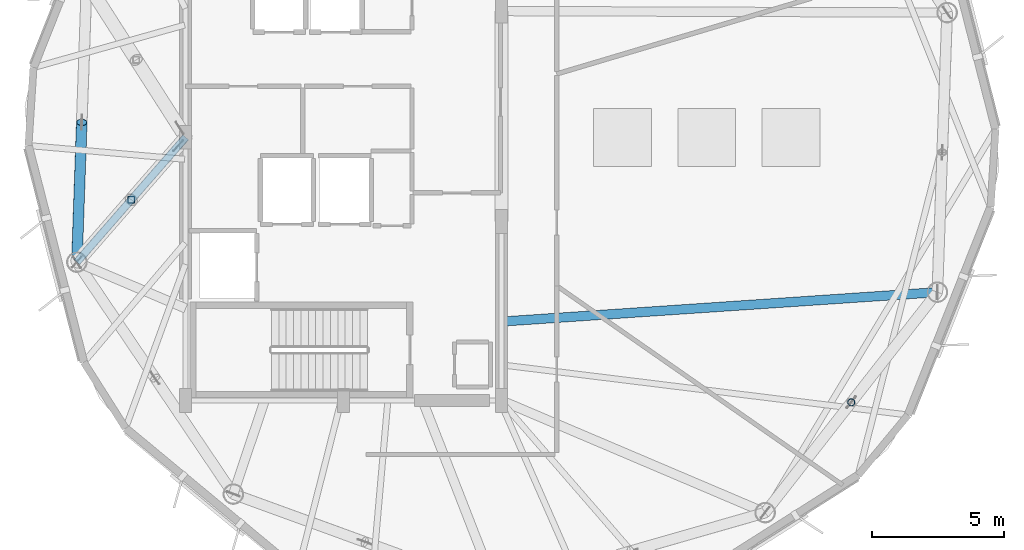
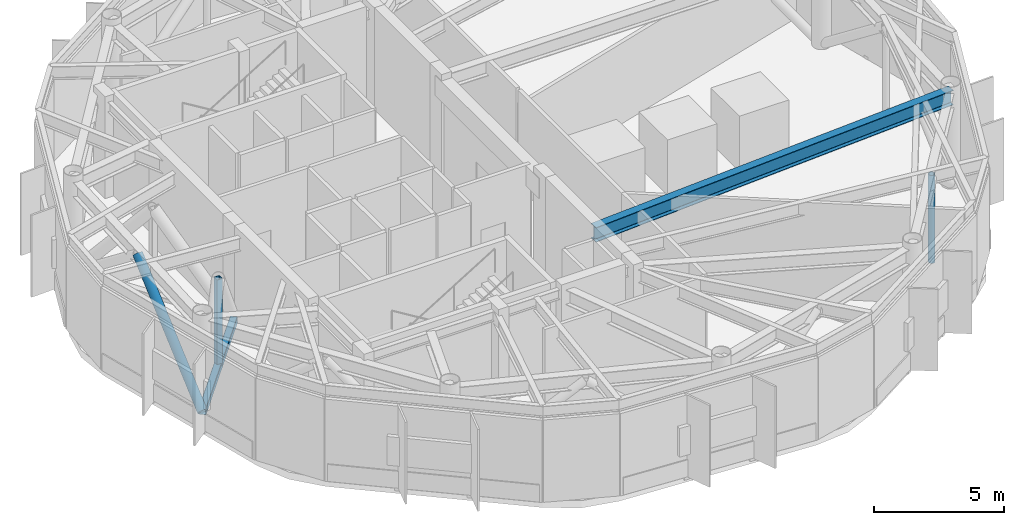
# One storey, part 2 of 14: 4 members, 1 beam.
"""IFC4 building model written with IfcOpenShell, lengths in metres."""

from ifc_helpers import new_model, si_unit, direction, frame, origin, origin_2d, place, context, subcontext, project, spatial, hollow_rectangle, hollow_circle, i_section, extrude, material, material_profile, profile_set, type_object, element, save


model = new_model("IFC4")

# Units and contexts
model_context = context("Model", 3, precision=1e-05, world=origin(), true_north=direction((0.0, 1.0)))
body_context = subcontext(model_context, "Body", "Model", "MODEL_VIEW")
ifc_project = project(units=[si_unit("LENGTHUNIT", "METRE"), si_unit("AREAUNIT", "SQUARE_METRE"), si_unit("VOLUMEUNIT", "CUBIC_METRE"), si_unit("PLANEANGLEUNIT", "RADIAN"), si_unit("MASSUNIT", "GRAM", prefix="KILO")], contexts=[model_context])

# Site, building, storey
site_placement = place(None, origin())
site = spatial("IfcSite", under=ifc_project, at=site_placement, CompositionType="ELEMENT")
building_placement = place(site_placement, origin())
building = spatial("IfcBuilding", under=site, at=building_placement, Name="Soratama Intermodal Tower", CompositionType="ELEMENT")
storey_placement = place(building_placement, frame((0.0, 0.0, 283.75)))
storey = spatial("IfcBuildingStorey", under=building, at=storey_placement, Name="L72", CompositionType="ELEMENT", Elevation=283.75)

# Beam
ifc_material_1 = material(Name="Structural steel ASTM A992 Grade 50", Category="steel")
ifc_material_profile_1 = material_profile(ifc_material_1, i_section(OverallWidth=0.35498046875, OverallDepth=0.695068359375, WebThickness=0.015380859375, FlangeThickness=0.02490234375, FilletRadius=0.01611328125, at=origin_2d()), Name="W27X146")
ifc_profile_set_1 = profile_set([ifc_material_profile_1], Name="Structural steel ASTM A992 Grade 50")
beam_type = type_object("IfcBeamType", Name="BM-RING-W27X146", PredefinedType="BEAM", material=ifc_profile_set_1)
beam_placement = place(storey_placement, frame((44.60009765625, 18.0, 4.152587890625), z_axis=(0.997733912176, 0.067283285401, 0.0), x_axis=(-0.067283285401, 0.997733912176, 0.0)))
element("IfcBeam", 1, at=beam_placement, inside=storey, type_object=beam_type, Name="BM-L72-RAD-10", PredefinedType="BEAM", context=body_context, shape_type="SweptSolid", body=[
    extrude(i_section(OverallWidth=0.35498046875, OverallDepth=0.695068359375, WebThickness=0.015380859375, FlangeThickness=0.02490234375, FilletRadius=0.01611328125, at=origin_2d()), origin(), (0.0, 0.0, 1.0), 16.6005859375),
])

# Members
ifc_material_2 = material(Name="Structural steel ASTM A500 Grade C", Category="steel")
ifc_material_profile_2 = material_profile(ifc_material_2, hollow_circle(Radius=0.203125, WallThickness=0.01611328125, at=origin_2d()), Name="CHS406X16")
ifc_profile_set_2 = profile_set([ifc_material_profile_2], Name="Structural steel ASTM A500 Grade C")
member_type_1 = type_object("IfcMemberType", Name="MB-BLT-CHS406", PredefinedType="BRACE", material=ifc_profile_set_2)
member_1_placement = place(storey_placement, frame((28.46630859375, 20.259033203125, 0.010009765625), z_axis=(0.027534466704, 0.788246568513, 0.614743198719), x_axis=(-0.999390460373, 0.034909994479, 0.0)))
element("IfcMember", 2, at=member_1_placement, inside=storey, type_object=member_type_1, Name="L72 Belt Truss Brace B 05", PredefinedType="BRACE", context=body_context, shape_type="SweptSolid", body=[
    extrude(hollow_circle(Radius=0.203125, WallThickness=0.01611328125, at=origin_2d()), origin(), (0.0, 0.0, 1.0), 6.73876953125),
])
ifc_material_3 = material(Name="Structural steel ASTM A500 Grade C", Category="steel")
ifc_material_profile_3 = material_profile(ifc_material_3, hollow_rectangle(XDim=0.3046875, YDim=0.3046875, WallThickness=0.01611328125, InnerFilletRadius=0.01611328125, OuterFilletRadius=0.031982421875, at=origin_2d()), Name="HSS305X305X16")
ifc_profile_set_3 = profile_set([ifc_material_profile_3], Name="Structural steel ASTM A500 Grade C")
member_type_2 = type_object("IfcMemberType", Name="MB-CHD-HSS305", PredefinedType="CHORD", material=ifc_profile_set_3)
member_2_placement = place(storey_placement, frame((32.60009765625, 25.0, 0.02001953125), z_axis=(-0.657192875287, -0.753722445382, 0.0), x_axis=(0.753722445382, -0.657192875287, 0.0)))
element("IfcMember", 3, at=member_2_placement, inside=storey, type_object=member_type_2, Name="L72 Outrigger Chord 06", PredefinedType="CHORD", context=body_context, shape_type="SweptSolid", body=[
    extrude(hollow_rectangle(XDim=0.3046875, YDim=0.3046875, WallThickness=0.01611328125, InnerFilletRadius=0.01611328125, OuterFilletRadius=0.031982421875, at=origin_2d()), origin(), (0.0, 0.0, 1.0), 6.2900390625),
])
ifc_material_4 = material(Name="Structural steel ASTM A500 Grade C", Category="steel")
ifc_material_profile_4 = material_profile(ifc_material_4, hollow_rectangle(XDim=0.25390625, YDim=0.25390625, WallThickness=0.0126953125, InnerFilletRadius=0.0126953125, OuterFilletRadius=0.025390625, at=origin_2d()), Name="HSS254X254X12.7")
ifc_profile_set_4 = profile_set([ifc_material_profile_4], Name="Structural steel ASTM A500 Grade C")
member_type_3 = type_object("IfcMemberType", Name="MB-PST-HSS254", PredefinedType="POST", material=ifc_profile_set_4)
member_3_placement = place(storey_placement, frame((30.533203125, 22.62939453125, 0.010009765625), z_axis=(0.0, 0.0, 1.0), x_axis=(1.0, 0.0, 0.0)))
element("IfcMember", 4, at=member_3_placement, inside=storey, type_object=member_type_3, Name="L72 Outrigger Post 06", PredefinedType="POST", context=body_context, shape_type="SweptSolid", body=[
    extrude(hollow_rectangle(XDim=0.25390625, YDim=0.25390625, WallThickness=0.0126953125, InnerFilletRadius=0.0126953125, OuterFilletRadius=0.025390625, at=origin_2d()), origin(), (0.0, 0.0, 1.0), 4.142578125),
])
ifc_material_5 = material(Name="Structural steel ASTM A500 Grade C", Category="steel")
ifc_material_profile_5 = material_profile(ifc_material_5, hollow_circle(Radius=0.136474609375, WallThickness=0.011962890625, at=origin_2d()), Name="CHS273X12")
ifc_profile_set_5 = profile_set([ifc_material_profile_5], Name="Structural steel ASTM A500 Grade C")
member_type_4 = type_object("IfcMemberType", Name="MB-TURB-CHS273", PredefinedType="BRACE", material=ifc_profile_set_5)
member_4_placement = place(storey_placement, frame((57.890380859375, 14.928955078125, 0.010009765625), z_axis=(0.0, 0.0, 1.0), x_axis=(1.0, 0.0, 0.0)))
element("IfcMember", 5, at=member_4_placement, inside=storey, type_object=member_type_4, Name="L72 Turbine Portal Post 04", PredefinedType="BRACE", context=body_context, shape_type="SweptSolid", body=[
    extrude(hollow_circle(Radius=0.136474609375, WallThickness=0.011962890625, at=origin_2d()), origin(), (0.0, 0.0, 1.0), 4.142578125),
])

save(model, "model.ifc")
